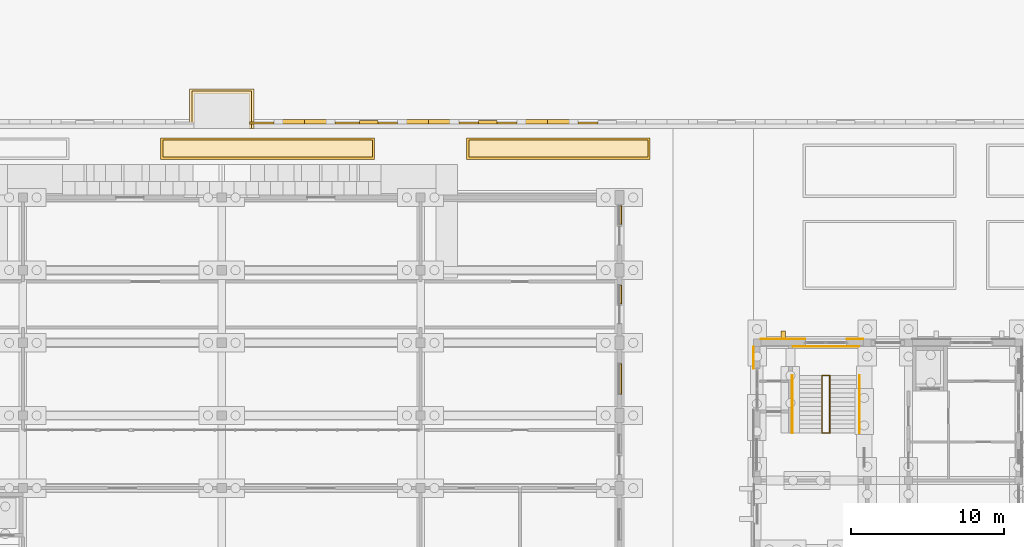
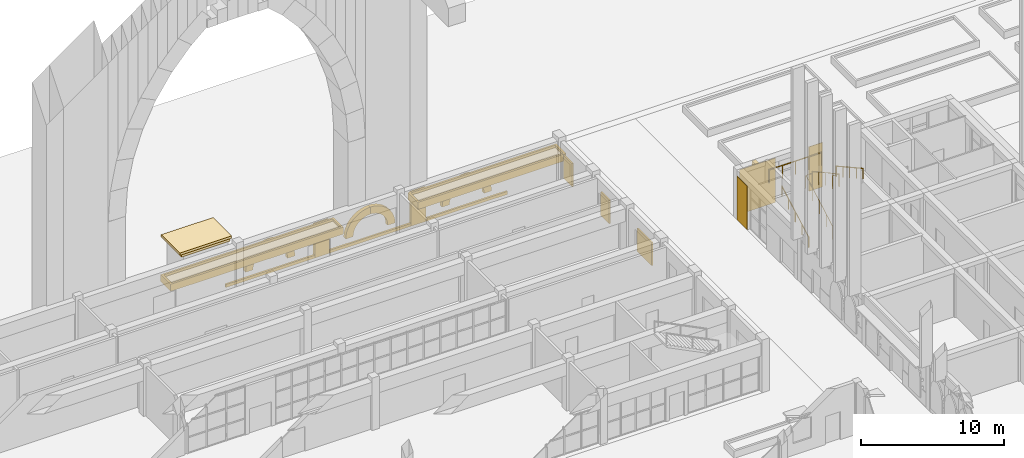
# One storey, part 114 of 161: 21 coverings, 4 railings, 3 shading devices.
"""IFC4 building model written with IfcOpenShell, lengths in metres."""

from ifc_helpers import new_model, si_unit, direction, frame, origin, origin_2d, place, context, subcontext, project, spatial, polyline, rectangle, circle, outline, extrude, material, layer, layer_set, type_object, element, save


model = new_model("IFC4")

# Units and contexts
model_context = context("Model", 3, precision=1e-05, world=origin(), true_north=direction((0.0, 1.0)))
body_context = subcontext(model_context, "Body", "Model", "MODEL_VIEW")
ifc_project = project(units=[si_unit("LENGTHUNIT", "METRE"), si_unit("AREAUNIT", "SQUARE_METRE"), si_unit("VOLUMEUNIT", "CUBIC_METRE"), si_unit("PLANEANGLEUNIT", "RADIAN"), si_unit("MASSUNIT", "GRAM", prefix="KILO")], contexts=[model_context])

# Site, building, storey
site_placement = place(None, origin())
site = spatial("IfcSite", under=ifc_project, at=site_placement, CompositionType="ELEMENT")
building_placement = place(site_placement, origin())
building = spatial("IfcBuilding", under=site, at=building_placement, Name="Elbe Cascade School", CompositionType="ELEMENT")
storey_placement = place(building_placement, origin())
storey = spatial("IfcBuildingStorey", under=building, at=storey_placement, Name="L00", CompositionType="ELEMENT", Elevation=0.0)

# Railings
ifc_material_1 = material(Name="Steel S355J2H, painted", Category="steel")
railing_type_1 = type_object("IfcRailingType", Name="Bar stair guard 1100", PredefinedType="GUARDRAIL", material=ifc_material_1)
railing_1_placement = place(storey_placement, frame((73.25, 54.10009765625, 0.16064453125)))
element("IfcRailing", 1, at=railing_1_placement, inside=storey, type_object=railing_type_1, Name="Stair guard A0.N", PredefinedType="GUARDRAIL", context=body_context, shape_type="SweptSolid", body=[
    extrude(circle(Radius=0.02392578125, at=origin_2d()), frame((0.0, 0.0, 1.09619140625), z_axis=(0.0, 0.874659101714, 0.484738543742), x_axis=(-1.0, 0.0, 0.0)), (0.0, 0.0, 1.0), 4.310302734375),
    extrude(circle(Radius=0.02392578125, at=origin_2d()), frame((0.0, 3.77001953125, 3.185546875), z_axis=(1.0, 0.0, 0.0), x_axis=(0.0, 1.0, 0.0)), (0.0, 0.0, 1.0), 0.5),
    extrude(circle(Radius=0.02392578125, at=origin_2d()), frame((0.5, 3.77001953125, 3.185546875), z_axis=(0.0, 0.0, 1.0), x_axis=(1.0, 0.0, 0.0)), (0.0, 0.0, 1.0), 0.16064453125),
    extrude(circle(Radius=0.02392578125, at=origin_2d()), frame((0.5, 3.77001953125, 3.34619140625), z_axis=(0.0, -0.874659101714, 0.484738543742), x_axis=(1.0, 0.0, 0.0)), (0.0, 0.0, 1.0), 4.310302734375),
    extrude(circle(Radius=0.02392578125, at=origin_2d()), frame((0.5, 0.0, 5.435546875), z_axis=(-1.0, 0.0, 0.0), x_axis=(0.0, -1.0, 0.0)), (0.0, 0.0, 1.0), 0.5),
    extrude(circle(Radius=0.02099609375, at=origin_2d()), origin(), (0.0, 0.0, 1.0), 1.072021484375),
    extrude(circle(Radius=0.02099609375, at=origin_2d()), frame((0.0, 0.9423828125, 0.5224609375)), (0.0, 0.0, 1.0), 1.072021484375),
    extrude(circle(Radius=0.02099609375, at=origin_2d()), frame((0.0, 1.885009765625, 1.044677734375)), (0.0, 0.0, 1.0), 1.072021484375),
    extrude(circle(Radius=0.02099609375, at=origin_2d()), frame((0.0, 2.82763671875, 1.56689453125)), (0.0, 0.0, 1.0), 1.072021484375),
    extrude(circle(Radius=0.02099609375, at=origin_2d()), frame((0.0, 3.77001953125, 2.08935546875)), (0.0, 0.0, 1.0), 1.072021484375),
    extrude(circle(Radius=0.02099609375, at=origin_2d()), frame((0.5, 3.77001953125, 2.08935546875)), (0.0, 0.0, 1.0), 1.072021484375),
    extrude(circle(Radius=0.02099609375, at=origin_2d()), frame((0.5, 3.77001953125, 2.25)), (0.0, 0.0, 1.0), 1.072021484375),
    extrude(circle(Radius=0.02099609375, at=origin_2d()), frame((0.5, 2.82763671875, 2.7724609375)), (0.0, 0.0, 1.0), 1.072021484375),
    extrude(circle(Radius=0.02099609375, at=origin_2d()), frame((0.5, 1.885009765625, 3.294677734375)), (0.0, 0.0, 1.0), 1.072021484375),
    extrude(circle(Radius=0.02099609375, at=origin_2d()), frame((0.5, 0.9423828125, 3.81689453125)), (0.0, 0.0, 1.0), 1.072021484375),
    extrude(circle(Radius=0.02099609375, at=origin_2d()), frame((0.5, 0.0, 4.33935546875)), (0.0, 0.0, 1.0), 1.072021484375),
    extrude(circle(Radius=0.02099609375, at=origin_2d()), frame((0.0, 0.0, 4.33935546875)), (0.0, 0.0, 1.0), 1.072021484375),
])
railing_2_placement = place(storey_placement, frame((71.360107421875, 59.760009765625, 2.25)))
element("IfcRailing", 2, at=railing_2_placement, inside=storey, type_object=railing_type_1, Name="Stair guard A0.N", PredefinedType="GUARDRAIL", context=body_context, shape_type="SweptSolid", body=[
    extrude(circle(Radius=0.02392578125, at=origin_2d()), frame((0.0, 0.0, 1.09619140625), z_axis=(1.0, 0.0, 0.0), x_axis=(0.0, 1.0, 0.0)), (0.0, 0.0, 1.0), 4.27978515625),
    extrude(circle(Radius=0.02099609375, at=origin_2d()), origin(), (0.0, 0.0, 1.0), 1.072021484375),
    extrude(circle(Radius=0.02099609375, at=origin_2d()), frame((1.06982421875, 0.0, 0.0)), (0.0, 0.0, 1.0), 1.072021484375),
    extrude(circle(Radius=0.02099609375, at=origin_2d()), frame((2.139892578125, 0.0, 0.0)), (0.0, 0.0, 1.0), 1.072021484375),
    extrude(circle(Radius=0.02099609375, at=origin_2d()), frame((3.2099609375, 0.0, 0.0)), (0.0, 0.0, 1.0), 1.072021484375),
    extrude(circle(Radius=0.02099609375, at=origin_2d()), frame((4.27978515625, 0.0, 0.0)), (0.0, 0.0, 1.0), 1.072021484375),
])
ifc_material_2 = material(Name="Steel S355J2H, painted", Category="steel")
railing_type_2 = type_object("IfcRailingType", Name="Bar stair handrail 900", PredefinedType="HANDRAIL", material=ifc_material_2)
railing_3_placement = place(storey_placement, frame((71.300048828125, 54.10009765625, 0.16064453125)))
element("IfcRailing", 3, at=railing_3_placement, inside=storey, type_object=railing_type_2, Name="Stair handrail A0.N", PredefinedType="HANDRAIL", context=body_context, shape_type="SweptSolid", body=[
    extrude(circle(Radius=0.02392578125, at=origin_2d()), frame((0.0, 0.0, 0.8759765625), z_axis=(0.0, 0.874659101714, 0.484738543742), x_axis=(-1.0, 0.0, 0.0)), (0.0, 0.0, 1.0), 4.310302734375),
    extrude(circle(Radius=0.02099609375, at=origin_2d()), origin(), (0.0, 0.0, 1.0), 0.851806640625),
    extrude(circle(Radius=0.02099609375, at=origin_2d()), frame((0.0, 0.9423828125, 0.5224609375)), (0.0, 0.0, 1.0), 0.851806640625),
    extrude(circle(Radius=0.02099609375, at=origin_2d()), frame((0.0, 1.885009765625, 1.044677734375)), (0.0, 0.0, 1.0), 0.851806640625),
    extrude(circle(Radius=0.02099609375, at=origin_2d()), frame((0.0, 2.82763671875, 1.56689453125)), (0.0, 0.0, 1.0), 0.851806640625),
    extrude(circle(Radius=0.02099609375, at=origin_2d()), frame((0.0, 3.77001953125, 2.08935546875)), (0.0, 0.0, 1.0), 0.851806640625),
])
railing_4_placement = place(storey_placement, frame((75.699951171875, 57.8701171875, 2.41064453125)))
element("IfcRailing", 4, at=railing_4_placement, inside=storey, type_object=railing_type_2, Name="Stair handrail A0.N", PredefinedType="HANDRAIL", context=body_context, shape_type="SweptSolid", body=[
    extrude(circle(Radius=0.02392578125, at=origin_2d()), frame((0.0, 0.0, 0.8759765625), z_axis=(0.0, -0.874659101714, 0.484738543742), x_axis=(1.0, 0.0, 0.0)), (0.0, 0.0, 1.0), 4.310302734375),
    extrude(circle(Radius=0.02099609375, at=origin_2d()), origin(), (0.0, 0.0, 1.0), 0.851806640625),
    extrude(circle(Radius=0.02099609375, at=origin_2d()), frame((0.0, -0.9423828125, 0.5224609375)), (0.0, 0.0, 1.0), 0.851806640625),
    extrude(circle(Radius=0.02099609375, at=origin_2d()), frame((0.0, -1.885009765625, 1.044677734375)), (0.0, 0.0, 1.0), 0.851806640625),
    extrude(circle(Radius=0.02099609375, at=origin_2d()), frame((0.0, -2.82763671875, 1.56689453125)), (0.0, 0.0, 1.0), 0.851806640625),
    extrude(circle(Radius=0.02099609375, at=origin_2d()), frame((0.0, -3.77001953125, 2.08935546875)), (0.0, 0.0, 1.0), 0.851806640625),
])

# Coverings
ifc_material_3 = material(Name="Precast concrete C40/50", Category="concrete")
covering_type_1 = type_object("IfcCoveringType", Name="Bars envelope Precast concrete gable fin, 300 wide, 500 deep", PredefinedType="CLADDING", material=ifc_material_3)
covering_1_placement = place(storey_placement, frame((70.699951171875, 60.510009765625, 0.0), z_axis=(0.0, 0.0, 1.0), x_axis=(1.0, 0.0, 0.0)))
element("IfcCovering", 5, at=covering_1_placement, inside=storey, type_object=covering_type_1, Name="Fin CV50 A.L00.n.1", PredefinedType="CLADDING", context=body_context, shape_type="SweptSolid", body=[
    extrude(rectangle(XDim=0.300048828125, YDim=0.5, at=origin_2d()), origin(), (0.0, 0.0, 1.0), 3.800048828125),
])
ifc_material_4 = material(Name="Sandstone - red", Category="masonry")
ifc_layer_1 = layer(ifc_material_4, 0.0400390625)
ifc_layer_set_1 = layer_set([ifc_layer_1], Name="Sandstone - red")
covering_type_2 = type_object("IfcCoveringType", Name="Bars envelope Sandstone cladding, red, 40 mm", PredefinedType="CLADDING", material=ifc_layer_set_1)
covering_2_placement = place(storey_placement, frame((68.760009765625, 59.030029296875, 0.0), z_axis=(0.0, 0.0, 1.0), x_axis=(0.0, 1.0, 0.0)))
element("IfcCovering", 6, at=covering_2_placement, inside=storey, type_object=covering_type_2, Name="Sandstone cladding CV48 A.L00.w.6b.1", PredefinedType="CLADDING", context=body_context, shape_type="SweptSolid", body=[
    extrude(rectangle(XDim=1.43994140625, YDim=0.0400390625, at=origin_2d()), origin(), (0.0, 0.0, 1.0), 3.75),
])
covering_3_placement = place(storey_placement, frame((70.699951171875, 60.239990234375, 0.0), z_axis=(0.0, 0.0, 1.0), x_axis=(1.0, 0.0, 0.0)))
element("IfcCovering", 7, at=covering_3_placement, inside=storey, type_object=covering_type_2, Name="Sandstone cladding CV48 A.L00.n.1a.1", PredefinedType="CLADDING", context=body_context, shape_type="SweptSolid", body=[
    extrude(rectangle(XDim=2.89990234375, YDim=0.0400390625, at=origin_2d()), origin(), (0.0, 0.0, 1.0), 3.800048828125),
])
covering_4_placement = place(storey_placement, frame((75.39990234375, 60.239990234375, 0.0), z_axis=(0.0, 0.0, 1.0), x_axis=(1.0, 0.0, 0.0)))
element("IfcCovering", 8, at=covering_4_placement, inside=storey, type_object=covering_type_2, Name="Sandstone cladding CV48 A.L00.n.1b.1", PredefinedType="CLADDING", context=body_context, shape_type="SweptSolid", body=[
    extrude(rectangle(XDim=1.10009765625, YDim=0.0400390625, at=origin_2d()), origin(), (0.0, 0.0, 1.0), 3.800048828125),
])
ifc_material_5 = material(Name="Sandstone - red", Category="masonry")
ifc_layer_2 = layer(ifc_material_5, 0.199951171875)
ifc_layer_set_2 = layer_set([ifc_layer_2], Name="Sandstone - red")
covering_type_3 = type_object("IfcCoveringType", Name="Bastion coping course 200", PredefinedType="CLADDING", material=ifc_layer_set_2)
covering_5_placement = place(storey_placement, frame((0.0, 0.0, 1.0)))
element("IfcCovering", 9, at=covering_5_placement, inside=storey, type_object=covering_type_3, Name="Bastion coping course 1 N1", PredefinedType="CLADDING", context=body_context, shape_type="SweptSolid", body=[
    extrude(outline(polyline([(32.050048828125, 74.0), (35.949951171875, 74.0), (35.949951171875, 76.449951171875), (32.050048828125, 76.449951171875), (32.050048828125, 74.0)])), origin(), (0.0, 0.0, 1.0), 0.199951171875),
])
covering_6_placement = place(storey_placement, frame((0.0, 0.0, 1.199951171875)))
element("IfcCovering", 10, at=covering_6_placement, inside=storey, type_object=covering_type_3, Name="Bastion coping course 2 N1", PredefinedType="CLADDING", context=body_context, shape_type="SweptSolid", body=[
    extrude(outline(polyline([(31.89990234375, 74.0), (36.10009765625, 74.0), (36.10009765625, 76.60009765625), (31.89990234375, 76.60009765625), (31.89990234375, 74.0)])), origin(), (0.0, 0.0, 1.0), 0.199951171875),
])

# Shading devices
ifc_material_6 = material(Name="Precast concrete - pierced screen C30/37", Category="concrete")
shading_device_type_1 = type_object("IfcShadingDeviceType", Name="Hall jali screen 1200x2000 base window", PredefinedType="USERDEFINED", material=ifc_material_6)
for number, where, z_axis, x_axis, name in (
    (11, (60.090087890625, 63.14990234375, 1.0), (0.0, 0.0, 1.0), (1.0, 0.0, 0.0), "Jali screen E5"),
    (12, (60.090087890625, 68.35009765625, 1.0), (0.0, 0.0, 1.0), (1.0, 0.0, 0.0), "Jali screen E6"),
):
    element("IfcShadingDevice", number, at=place(storey_placement, frame(where, z_axis=z_axis, x_axis=x_axis)), inside=storey, type_object=shading_device_type_1, Name=name, ObjectType="JALI", PredefinedType="USERDEFINED", context=body_context, shape_type="SweptSolid", body=[
        extrude(rectangle(XDim=0.1201171875, YDim=1.199951171875, at=origin_2d()), origin(), (0.0, 0.0, 1.0), 2.0),
    ])
ifc_material_7 = material(Name="Precast concrete - pierced screen C30/37", Category="concrete")
shading_device_type_2 = type_object("IfcShadingDeviceType", Name="Hall jali screen 2000x2000 base window", PredefinedType="USERDEFINED", material=ifc_material_7)
shading_device_placement = place(storey_placement, frame((60.090087890625, 57.625, 1.0), z_axis=(0.0, 0.0, 1.0), x_axis=(1.0, 0.0, 0.0)))
element("IfcShadingDevice", 13, at=shading_device_placement, inside=storey, type_object=shading_device_type_2, Name="Jali screen E4", ObjectType="JALI", PredefinedType="USERDEFINED", context=body_context, shape_type="SweptSolid", body=[
    extrude(rectangle(XDim=0.1201171875, YDim=2.0, at=origin_2d()), origin(), (0.0, 0.0, 1.0), 2.0),
])

# Coverings
ifc_material_8 = material(Name="Sandstone - red", Category="masonry")
ifc_layer_3 = layer(ifc_material_8, 0.14990234375)
ifc_layer_set_3 = layer_set([ifc_layer_3], Name="Sandstone - red")
covering_type_4 = type_object("IfcCoveringType", Name="Plinth base course 150x250", PredefinedType="CLADDING", material=ifc_layer_set_3)
covering_7_placement = place(storey_placement, frame((0.0, 0.0, -3.10009765625)))
element("IfcCovering", 14, at=covering_7_placement, inside=storey, type_object=covering_type_4, Name="Plinth base course north 0.2.1", PredefinedType="CLADDING", context=body_context, shape_type="SweptSolid", body=[
    extrude(outline(polyline([(35.800048828125, 74.300048828125), (43.0, 74.300048828125), (43.0, 74.449951171875), (35.800048828125, 74.449951171875), (35.800048828125, 74.300048828125)])), origin(), (0.0, 0.0, 1.0), 0.25),
])
covering_8_placement = place(storey_placement, frame((0.0, 0.0, -3.10009765625)))
element("IfcCovering", 15, at=covering_8_placement, inside=storey, type_object=covering_type_4, Name="Plinth base course north 0.2.2", PredefinedType="CLADDING", context=body_context, shape_type="SweptSolid", body=[
    extrude(outline(polyline([(44.199951171875, 74.300048828125), (50.800048828125, 74.300048828125), (50.800048828125, 74.449951171875), (44.199951171875, 74.449951171875), (44.199951171875, 74.300048828125)])), origin(), (0.0, 0.0, 1.0), 0.25),
])
covering_9_placement = place(storey_placement, frame((0.0, 0.0, -3.10009765625)))
element("IfcCovering", 16, at=covering_9_placement, inside=storey, type_object=covering_type_4, Name="Plinth base course north 0.2.3", PredefinedType="CLADDING", context=body_context, shape_type="SweptSolid", body=[
    extrude(outline(polyline([(52.0, 74.300048828125), (58.60009765625, 74.300048828125), (58.60009765625, 74.449951171875), (52.0, 74.449951171875), (52.0, 74.300048828125)])), origin(), (0.0, 0.0, 1.0), 0.25),
])
ifc_material_9 = material(Name="Sandstone - red", Category="masonry")
ifc_layer_4 = layer(ifc_material_9, 0.300048828125)
ifc_layer_set_4 = layer_set([ifc_layer_4], Name="Sandstone - red")
covering_type_5 = type_object("IfcCoveringType", Name="Plinth niche arch band 600x300", PredefinedType="CLADDING", material=ifc_layer_set_4)
covering_10_placement = place(storey_placement, frame((41.39990234375, 74.60009765625, -2.35009765625), z_axis=(0.0, 1.0, 0.0), x_axis=(-1.0, 0.0, 0.0)))
element("IfcCovering", 17, at=covering_10_placement, inside=storey, type_object=covering_type_5, Name="Plinth niche arch band north 0.2.1a", PredefinedType="CLADDING", context=body_context, shape_type="SweptSolid", body=[
    extrude(outline(polyline([(0.0, 0.0), (0.599853515625, 0.0), (0.616943359375, 0.221923828125), (0.667724609375, 0.438720703125), (0.751220703125, 0.64501953125), (0.864990234375, 0.83642578125), (1.007080078125, 1.0078125), (1.173583984375, 1.15576171875), (1.360595703125, 1.2763671875), (1.56396484375, 1.366943359375), (1.77880859375, 1.42529296875), (2.0, 1.4501953125), (2.0, 2.05029296875), (1.684814453125, 2.01806640625), (1.37841796875, 1.9375), (1.088134765625, 1.81103515625), (0.82080078125, 1.64111328125), (0.582763671875, 1.43212890625), (0.379638671875, 1.189208984375), (0.216552734375, 0.91748046875), (0.09716796875, 0.624267578125), (0.0244140625, 0.31591796875), (0.0, 0.0)])), origin(), (0.0, 0.0, -1.0), 0.300048828125),
])
covering_11_placement = place(storey_placement, frame((37.424560546875, 74.60009765625, -2.0341796875), z_axis=(0.0, 1.0, 0.0), x_axis=(0.229640615433, 0.0, 0.973275494268)))
element("IfcCovering", 18, at=covering_11_placement, inside=storey, type_object=covering_type_5, Name="Plinth niche arch band north 0.2.1b", PredefinedType="CLADDING", context=body_context, shape_type="SweptSolid", body=[
    extrude(outline(polyline([(0.0, 0.0), (0.31681637027835047, 0.0), (0.6296088823787412, 0.04886067811575373), (0.9315267427864806, 0.14518832098545423), (1.2146004998268738, 0.2871006253983999), (1.4726067943887962, 0.47054739410121904), (1.699434396567878, 0.6919536620154754), (1.8891803432917578, 0.9454377254653902), (2.037954729394572, 1.2251445961231031), (2.1416433912969475, 1.5242688213108815), (1.5575830483008861, 1.66207561641209), (1.4825516767193998, 1.4525140307106628), (1.3764806454459984, 1.2570489300335477), (1.2416232623821883, 1.0799146970257483), (1.0812393643827247, 0.9253590720062276), (0.899007955873922, 0.7972800499997257), (0.6996279279093016, 0.6985824547516934), (0.4872108101606949, 0.6318080070394001), (0.26725112189532263, 0.5979178949791348), (0.04458659872137888, 0.5982791165847868), (-0.17533094702333402, 0.6326087149319284), (-0.3131377421245425, 0.04854837193586718), (0.0, 0.0)])), origin(), (0.0, 0.0, -1.0), 0.300048828125),
])
covering_12_placement = place(storey_placement, frame((49.5, 74.60009765625, -2.35009765625), z_axis=(0.0, 1.0, 0.0), x_axis=(-1.0, 0.0, 0.0)))
element("IfcCovering", 19, at=covering_12_placement, inside=storey, type_object=covering_type_5, Name="Plinth niche arch band north 0.2.2a", PredefinedType="CLADDING", context=body_context, shape_type="SweptSolid", body=[
    extrude(outline(polyline([(0.0, 0.0), (0.60009765625, 0.0), (0.6171875, 0.221923828125), (0.66796875, 0.438720703125), (0.751220703125, 0.64501953125), (0.865234375, 0.83642578125), (1.007080078125, 1.0078125), (1.173583984375, 1.15576171875), (1.360595703125, 1.2763671875), (1.56396484375, 1.366943359375), (1.77880859375, 1.42529296875), (2.0, 1.4501953125), (2.0, 2.05029296875), (1.684814453125, 2.01806640625), (1.37841796875, 1.9375), (1.088134765625, 1.81103515625), (0.82080078125, 1.64111328125), (0.582763671875, 1.43212890625), (0.3798828125, 1.189208984375), (0.216796875, 0.91748046875), (0.097412109375, 0.624267578125), (0.0244140625, 0.31591796875), (0.0, 0.0)])), origin(), (0.0, 0.0, -1.0), 0.300048828125),
])
covering_13_placement = place(storey_placement, frame((45.5244140625, 74.60009765625, -2.0341796875), z_axis=(0.0, 1.0, 0.0), x_axis=(0.230370389833, 0.0, 0.973103017922)))
element("IfcCovering", 20, at=covering_13_placement, inside=storey, type_object=covering_type_5, Name="Plinth niche arch band north 0.2.2b", PredefinedType="CLADDING", context=body_context, shape_type="SweptSolid", body=[
    extrude(outline(polyline([(0.0, 0.0), (0.31687252397341076, 0.0), (0.6297015877312577, 0.04862610780633542), (0.9316915973394285, 0.14472732169500946), (1.2148154490930958, 0.2861897411309222), (1.473015476785429, 0.46968055870342257), (1.6999528003548228, 0.6906790971069348), (1.8898887761347143, 0.9440208027650488), (2.038872866748509, 1.2236160319757423), (2.1428420492777027, 1.522899993079024), (1.558885208933074, 1.6611447240869763), (1.4836967125911875, 1.4516394617641843), (1.37742289317322, 1.2560163825158634), (1.2424327187641548, 1.0789833260459185), (1.0819892105939604, 0.9247855869954477), (0.8996618095377079, 0.7968432525266855), (0.7002078263653932, 0.6982951959470896), (0.4876844528052212, 0.6314424801900893), (0.2677556556673356, 0.5979548948134422), (0.04509146597014914, 0.5984830877928479), (-0.17480027489389646, 0.6329775880622152), (-0.3130450059018489, 0.0490207477175865), (0.0, 0.0)])), origin(), (0.0, 0.0, -1.0), 0.300048828125),
])
covering_14_placement = place(storey_placement, frame((57.300048828125, 74.60009765625, -2.35009765625), z_axis=(0.0, 1.0, 0.0), x_axis=(-1.0, 0.0, 0.0)))
element("IfcCovering", 21, at=covering_14_placement, inside=storey, type_object=covering_type_5, Name="Plinth niche arch band north 0.2.3a", PredefinedType="CLADDING", context=body_context, shape_type="SweptSolid", body=[
    extrude(outline(polyline([(0.0, 0.0), (0.60009765625, 0.0), (0.6171875, 0.221923828125), (0.66796875, 0.438720703125), (0.75146484375, 0.64501953125), (0.865234375, 0.83642578125), (1.007080078125, 1.0078125), (1.173583984375, 1.15576171875), (1.36083984375, 1.2763671875), (1.56396484375, 1.366943359375), (1.77880859375, 1.42529296875), (2.0, 1.4501953125), (2.0, 2.05029296875), (1.68505859375, 2.01806640625), (1.378662109375, 1.9375), (1.088134765625, 1.81103515625), (0.82080078125, 1.64111328125), (0.582763671875, 1.43212890625), (0.3798828125, 1.189208984375), (0.216796875, 0.91748046875), (0.097412109375, 0.624267578125), (0.024658203125, 0.31591796875), (0.0, 0.0)])), origin(), (0.0, 0.0, -1.0), 0.300048828125),
])
covering_15_placement = place(storey_placement, frame((53.324462890625, 74.60009765625, -2.0341796875), z_axis=(0.0, 1.0, 0.0), x_axis=(0.229640615433, 0.0, 0.973275494268)))
element("IfcCovering", 22, at=covering_15_placement, inside=storey, type_object=covering_type_5, Name="Plinth niche arch band north 0.2.3b", PredefinedType="CLADDING", context=body_context, shape_type="SweptSolid", body=[
    extrude(outline(polyline([(0.0, 0.0), (0.31681637027835047, 0.0), (0.6296088823787412, 0.04886067811575373), (0.9315267427864806, 0.14518832098545423), (1.2146004998268738, 0.2871006253983999), (1.4726628589921735, 0.4707850101886869), (1.699434396567878, 0.6919536620154754), (1.8891803432917578, 0.9454377254653902), (2.037954729394572, 1.2251445961231031), (2.1416994559003246, 1.5245064373983495), (1.5576391129042635, 1.662313232499558), (1.4826077413227772, 1.4527516467981305), (1.3764806454459984, 1.2570489300335477), (1.2416232623821883, 1.0799146970257483), (1.081295428986102, 0.9255966880936953), (0.8990640204772993, 0.7975176660871937), (0.6996839925126788, 0.6988200708391613), (0.4872108101606949, 0.6318080070394001), (0.2673071864986999, 0.5981555110666027), (0.04458659872137888, 0.5982791165847868), (-0.17533094702333402, 0.6326087149319284), (-0.3130816775211652, 0.04878598802333507), (0.0, 0.0)])), origin(), (0.0, 0.0, -1.0), 0.300048828125),
])
ifc_material_10 = material(Name="Sandstone - red", Category="masonry")
ifc_layer_5 = layer(ifc_material_10, 0.25)
ifc_layer_set_5 = layer_set([ifc_layer_5], Name="Sandstone - red")
covering_type_6 = type_object("IfcCoveringType", Name="Plinth pilaster 1200x250", PredefinedType="CLADDING", material=ifc_layer_set_5)
covering_16_placement = place(storey_placement, frame((0.0, 0.0, -3.10009765625)))
element("IfcCovering", 23, at=covering_16_placement, inside=storey, type_object=covering_type_6, Name="Plinth pilaster north 0.2.1", PredefinedType="CLADDING", context=body_context, shape_type="SweptSolid", body=[
    extrude(outline(polyline([(43.0, 74.300048828125), (44.199951171875, 74.300048828125), (44.199951171875, 74.550048828125), (43.0, 74.550048828125), (43.0, 74.300048828125)])), origin(), (0.0, 0.0, 1.0), 2.85009765625),
])
covering_17_placement = place(storey_placement, frame((0.0, 0.0, -3.10009765625)))
element("IfcCovering", 24, at=covering_17_placement, inside=storey, type_object=covering_type_6, Name="Plinth pilaster north 0.2.2", PredefinedType="CLADDING", context=body_context, shape_type="SweptSolid", body=[
    extrude(outline(polyline([(50.800048828125, 74.300048828125), (52.0, 74.300048828125), (52.0, 74.550048828125), (50.800048828125, 74.550048828125), (50.800048828125, 74.300048828125)])), origin(), (0.0, 0.0, 1.0), 2.85009765625),
])
ifc_material_11 = material(Name="Planting - soil and shrubs", Category="soil")
ifc_layer_6 = layer(ifc_material_11, 0.39990234375)
ifc_layer_set_6 = layer_set([ifc_layer_6], Name="Planting - soil and shrubs")
covering_type_7 = type_object("IfcCoveringType", Name="Site planting bed 400", PredefinedType="USERDEFINED", material=ifc_layer_set_6)
covering_18_placement = place(storey_placement, origin())
element("IfcCovering", 25, at=covering_18_placement, inside=storey, type_object=covering_type_7, Name="North strip planting bed 2", ObjectType="PLANTING BED", PredefinedType="USERDEFINED", context=body_context, shape_type="SweptSolid", body=[
    extrude(outline(polyline([(30.14990234375, 72.14990234375), (43.85009765625, 72.14990234375), (43.85009765625, 73.25), (30.14990234375, 73.25), (30.14990234375, 72.14990234375)])), origin(), (0.0, 0.0, 1.0), 0.39990234375),
])
covering_19_placement = place(storey_placement, origin())
element("IfcCovering", 26, at=covering_19_placement, inside=storey, type_object=covering_type_7, Name="North strip planting bed 3", ObjectType="PLANTING BED", PredefinedType="USERDEFINED", context=body_context, shape_type="SweptSolid", body=[
    extrude(outline(polyline([(50.14990234375, 72.14990234375), (61.85009765625, 72.14990234375), (61.85009765625, 73.25), (50.14990234375, 73.25), (50.14990234375, 72.14990234375)])), origin(), (0.0, 0.0, 1.0), 0.39990234375),
])
ifc_material_12 = material(Name="Concrete C30/37 precast kerb", Category="concrete")
ifc_layer_7 = layer(ifc_material_12, 0.14990234375)
ifc_layer_set_7 = layer_set([ifc_layer_7], Name="Concrete C30/37 precast kerb")
covering_type_8 = type_object("IfcCoveringType", Name="Site planting bed kerb 150x600", PredefinedType="CLADDING", material=ifc_layer_set_7)
covering_20_placement = place(storey_placement, origin())
element("IfcCovering", 27, at=covering_20_placement, inside=storey, type_object=covering_type_8, Name="North strip planting bed kerb 2", PredefinedType="CLADDING", context=body_context, shape_type="SweptSolid", body=[
    extrude(outline(polyline([(30.0, 72.0), (44.0, 72.0), (44.0, 73.39990234375), (30.0, 73.39990234375), (30.0, 72.0)]), holes=[polyline([(30.14990234375, 72.14990234375), (43.85009765625, 72.14990234375), (43.85009765625, 73.25), (30.14990234375, 73.25), (30.14990234375, 72.14990234375)])]), origin(), (0.0, 0.0, 1.0), 0.60009765625),
])
covering_21_placement = place(storey_placement, origin())
element("IfcCovering", 28, at=covering_21_placement, inside=storey, type_object=covering_type_8, Name="North strip planting bed kerb 3", PredefinedType="CLADDING", context=body_context, shape_type="SweptSolid", body=[
    extrude(outline(polyline([(50.0, 72.0), (62.0, 72.0), (62.0, 73.39990234375), (50.0, 73.39990234375), (50.0, 72.0)]), holes=[polyline([(50.14990234375, 72.14990234375), (61.85009765625, 72.14990234375), (61.85009765625, 73.25), (50.14990234375, 73.25), (50.14990234375, 72.14990234375)])]), origin(), (0.0, 0.0, 1.0), 0.60009765625),
])

save(model, "model.ifc")
